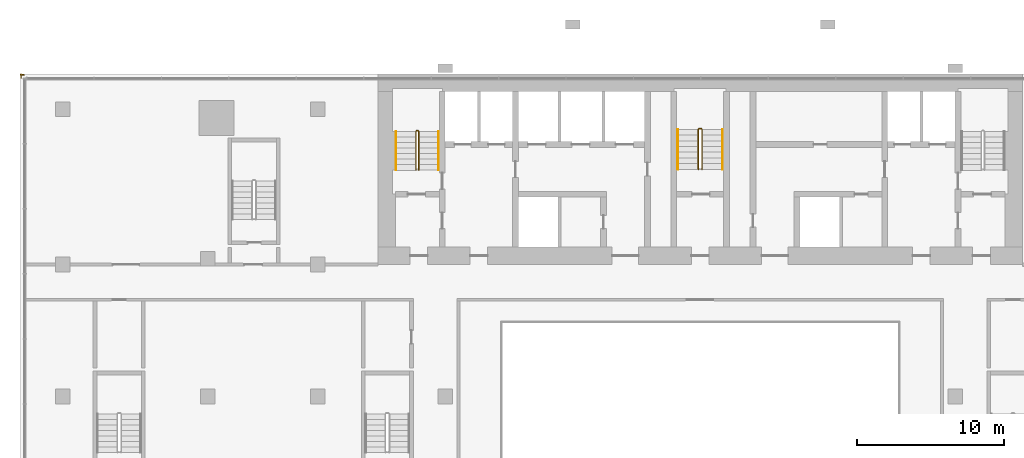
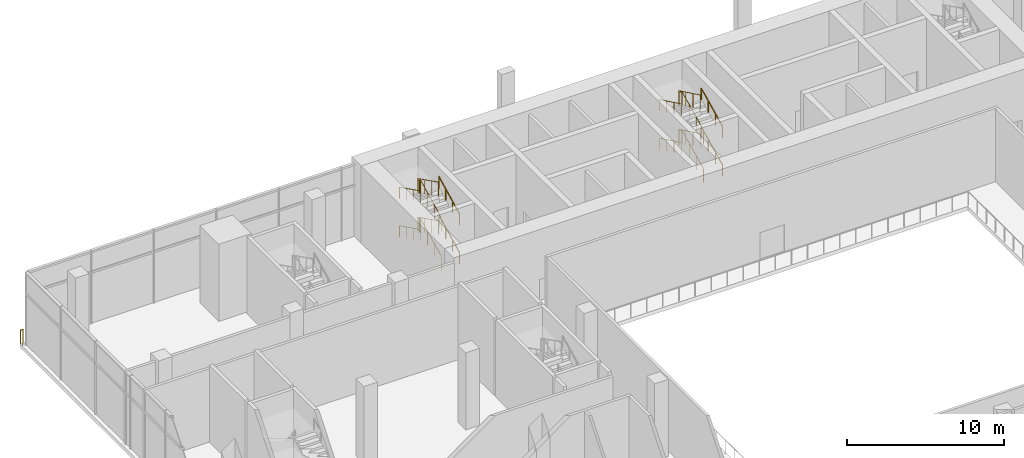
# One storey, part 20 of 22: 13 railings.
"""IFC4 building model written with IfcOpenShell, lengths in metres."""

from ifc_helpers import new_model, si_unit, direction, frame, origin, origin_2d, place, context, subcontext, project, spatial, circle, extrude, material, type_object, element, save


model = new_model("IFC4")

# Units and contexts
model_context = context("Model", 3, precision=1e-05, world=origin(), true_north=direction((0.0, 1.0)))
body_context = subcontext(model_context, "Body", "Model", "MODEL_VIEW")
ifc_project = project(units=[si_unit("LENGTHUNIT", "METRE"), si_unit("AREAUNIT", "SQUARE_METRE"), si_unit("VOLUMEUNIT", "CUBIC_METRE"), si_unit("PLANEANGLEUNIT", "RADIAN"), si_unit("MASSUNIT", "GRAM", prefix="KILO")], contexts=[model_context])

# Site, building, storey
site_placement = place(None, origin())
site = spatial("IfcSite", under=ifc_project, at=site_placement, CompositionType="ELEMENT")
building_placement = place(site_placement, origin())
building = spatial("IfcBuilding", under=site, at=building_placement, Name="Bicima Exchange Tower", CompositionType="ELEMENT")
storey_placement = place(building_placement, frame((0.0, 0.0, 14.0)))
storey = spatial("IfcBuildingStorey", under=building, at=storey_placement, Name="L02", CompositionType="ELEMENT", Elevation=14.0)

# Railings
ifc_material_1 = material(Name="Stainless steel and bonded safety glass", Category="steel")
railing_type_1 = type_object("IfcRailingType", Name="Edge guard 1100", PredefinedType="GUARDRAIL", material=ifc_material_1)
railing_1_placement = place(storey_placement, frame((-46.35009765625, -0.25, 0.0)))
element("IfcRailing", 1, at=railing_1_placement, inside=storey, type_object=railing_type_1, Name="Edge guard L02 5", PredefinedType="GUARDRAIL", context=body_context, shape_type="SweptSolid", body=[
    extrude(circle(Radius=0.02392578125, at=origin_2d()), frame((0.0, 0.0, 1.076171875), z_axis=(0.0, 1.0, 0.0), x_axis=(-1.0, 0.0, 0.0)), (0.0, 0.0, 1.0), 0.25),
    extrude(circle(Radius=0.02392578125, at=origin_2d()), frame((0.0, 0.25, 1.076171875), z_axis=(-0.705375805398, -0.708833529934, 0.0), x_axis=(0.708833529934, -0.705375805398, 0.0)), (0.0, 0.0, 1.0), 0.070556640625),
    extrude(circle(Radius=0.02392578125, at=origin_2d()), frame((-0.0498046875, 0.199951171875, 1.076171875), z_axis=(1.0, 0.0, 0.0), x_axis=(0.0, 1.0, 0.0)), (0.0, 0.0, 1.0), 0.2490234375),
    extrude(circle(Radius=0.02099609375, at=origin_2d()), origin(), (0.0, 0.0, 1.0), 1.052001953125),
    extrude(circle(Radius=0.02099609375, at=origin_2d()), frame((0.0, 0.25, 0.0)), (0.0, 0.0, 1.0), 1.052001953125),
    extrude(circle(Radius=0.02099609375, at=origin_2d()), frame((-0.0498046875, 0.199951171875, 0.0)), (0.0, 0.0, 1.0), 1.052001953125),
    extrude(circle(Radius=0.02099609375, at=origin_2d()), frame((0.19921875, 0.199951171875, 0.0)), (0.0, 0.0, 1.0), 1.052001953125),
])
ifc_material_2 = material(Name="Stainless steel", Category="steel")
railing_type_2 = type_object("IfcRailingType", Name="Stair guard 1100", PredefinedType="GUARDRAIL", material=ifc_material_2)
railing_2_placement = place(storey_placement, frame((-19.199951171875, -6.550048828125, 0.1875)))
element("IfcRailing", 2, at=railing_2_placement, inside=storey, type_object=railing_type_2, Name="L02 ST-W stair guard 1", PredefinedType="GUARDRAIL", context=body_context, shape_type="SweptSolid", body=[
    extrude(circle(Radius=0.02392578125, at=origin_2d()), frame((0.0, 0.0, 1.076171875), z_axis=(0.0, 0.894775759346, 0.446515778543), x_axis=(-1.0, 0.0, 0.0)), (0.0, 0.0, 1.0), 2.939453125),
    extrude(circle(Radius=0.02392578125, at=origin_2d()), frame((0.0, 2.630126953125, 2.388671875), z_axis=(-0.708833529934, 0.705375805398, 0.0), x_axis=(-0.705375805398, -0.708833529934, 0.0)), (0.0, 0.0, 1.0), 0.070556640625),
    extrude(circle(Radius=0.02392578125, at=origin_2d()), frame((-0.050048828125, 2.679931640625, 2.388671875), z_axis=(-1.0, 0.0, 0.0), x_axis=(0.0, -1.0, 0.0)), (0.0, 0.0, 1.0), 0.10009765625),
    extrude(circle(Radius=0.02392578125, at=origin_2d()), frame((-0.150146484375, 2.679931640625, 2.388671875), z_axis=(-0.248659220195, -0.248659220195, 0.936128828968), x_axis=(0.707106781187, -0.707106781187, 0.0)), (0.0, 0.0, 1.0), 0.2001953125),
    extrude(circle(Radius=0.02392578125, at=origin_2d()), frame((-0.199951171875, 2.630126953125, 2.576171875), z_axis=(0.0, -0.894775759346, 0.446515778543), x_axis=(1.0, 0.0, 0.0)), (0.0, 0.0, 1.0), 2.939453125),
    extrude(circle(Radius=0.02099609375, at=origin_2d()), origin(), (0.0, 0.0, 1.0), 1.052001953125),
    extrude(circle(Radius=0.02099609375, at=origin_2d()), frame((0.0, 0.876708984375, 0.4375)), (0.0, 0.0, 1.0), 1.052001953125),
    extrude(circle(Radius=0.02099609375, at=origin_2d()), frame((0.0, 1.75341796875, 0.875)), (0.0, 0.0, 1.0), 1.052001953125),
    extrude(circle(Radius=0.02099609375, at=origin_2d()), frame((0.0, 2.630126953125, 1.3125)), (0.0, 0.0, 1.0), 1.052001953125),
    extrude(circle(Radius=0.02099609375, at=origin_2d()), frame((-0.050048828125, 2.679931640625, 1.3125)), (0.0, 0.0, 1.0), 1.052001953125),
    extrude(circle(Radius=0.02099609375, at=origin_2d()), frame((-0.150146484375, 2.679931640625, 1.3125)), (0.0, 0.0, 1.0), 1.052001953125),
    extrude(circle(Radius=0.02099609375, at=origin_2d()), frame((-0.199951171875, 2.630126953125, 1.5)), (0.0, 0.0, 1.0), 1.052001953125),
    extrude(circle(Radius=0.02099609375, at=origin_2d()), frame((-0.199951171875, 1.75341796875, 1.9375)), (0.0, 0.0, 1.0), 1.052001953125),
    extrude(circle(Radius=0.02099609375, at=origin_2d()), frame((-0.199951171875, 0.876708984375, 2.375)), (0.0, 0.0, 1.0), 1.052001953125),
    extrude(circle(Radius=0.02099609375, at=origin_2d()), frame((-0.199951171875, 0.0, 2.8125)), (0.0, 0.0, 1.0), 1.052001953125),
])
railing_3_placement = place(storey_placement, frame((-19.199951171875, -6.550048828125, 3.1875)))
element("IfcRailing", 3, at=railing_3_placement, inside=storey, type_object=railing_type_2, Name="L02 ST-W stair guard 2", PredefinedType="GUARDRAIL", context=body_context, shape_type="SweptSolid", body=[
    extrude(circle(Radius=0.02392578125, at=origin_2d()), frame((0.0, 0.0, 1.076171875), z_axis=(0.0, 0.894775759346, 0.446515778543), x_axis=(-1.0, 0.0, 0.0)), (0.0, 0.0, 1.0), 2.939453125),
    extrude(circle(Radius=0.02392578125, at=origin_2d()), frame((0.0, 2.630126953125, 2.388671875), z_axis=(-0.708833529934, 0.705375805398, 0.0), x_axis=(-0.705375805398, -0.708833529934, 0.0)), (0.0, 0.0, 1.0), 0.070556640625),
    extrude(circle(Radius=0.02392578125, at=origin_2d()), frame((-0.050048828125, 2.679931640625, 2.388671875), z_axis=(-1.0, 0.0, 0.0), x_axis=(0.0, -1.0, 0.0)), (0.0, 0.0, 1.0), 0.10009765625),
    extrude(circle(Radius=0.02392578125, at=origin_2d()), frame((-0.150146484375, 2.679931640625, 2.388671875), z_axis=(-0.248659220195, -0.248659220195, 0.936128828968), x_axis=(0.707106781187, -0.707106781187, 0.0)), (0.0, 0.0, 1.0), 0.2001953125),
    extrude(circle(Radius=0.02392578125, at=origin_2d()), frame((-0.199951171875, 2.630126953125, 2.576171875), z_axis=(0.0, -0.894775759346, 0.446515778543), x_axis=(1.0, 0.0, 0.0)), (0.0, 0.0, 1.0), 2.939453125),
    extrude(circle(Radius=0.02099609375, at=origin_2d()), origin(), (0.0, 0.0, 1.0), 1.052001953125),
    extrude(circle(Radius=0.02099609375, at=origin_2d()), frame((0.0, 0.876708984375, 0.4375)), (0.0, 0.0, 1.0), 1.052001953125),
    extrude(circle(Radius=0.02099609375, at=origin_2d()), frame((0.0, 1.75341796875, 0.875)), (0.0, 0.0, 1.0), 1.052001953125),
    extrude(circle(Radius=0.02099609375, at=origin_2d()), frame((0.0, 2.630126953125, 1.3125)), (0.0, 0.0, 1.0), 1.052001953125),
    extrude(circle(Radius=0.02099609375, at=origin_2d()), frame((-0.050048828125, 2.679931640625, 1.3125)), (0.0, 0.0, 1.0), 1.052001953125),
    extrude(circle(Radius=0.02099609375, at=origin_2d()), frame((-0.150146484375, 2.679931640625, 1.3125)), (0.0, 0.0, 1.0), 1.052001953125),
    extrude(circle(Radius=0.02099609375, at=origin_2d()), frame((-0.199951171875, 2.630126953125, 1.5)), (0.0, 0.0, 1.0), 1.052001953125),
    extrude(circle(Radius=0.02099609375, at=origin_2d()), frame((-0.199951171875, 1.75341796875, 1.9375)), (0.0, 0.0, 1.0), 1.052001953125),
    extrude(circle(Radius=0.02099609375, at=origin_2d()), frame((-0.199951171875, 0.876708984375, 2.375)), (0.0, 0.0, 1.0), 1.052001953125),
    extrude(circle(Radius=0.02099609375, at=origin_2d()), frame((-0.199951171875, 0.0, 2.8125)), (0.0, 0.0, 1.0), 1.052001953125),
])
railing_4_placement = place(storey_placement, frame((0.125, -6.5, 0.1875)))
element("IfcRailing", 4, at=railing_4_placement, inside=storey, type_object=railing_type_2, Name="L02 ST-C stair guard 1", PredefinedType="GUARDRAIL", context=body_context, shape_type="SweptSolid", body=[
    extrude(circle(Radius=0.02392578125, at=origin_2d()), frame((0.0, 0.0, 1.076171875), z_axis=(0.0, 0.900628018105, 0.434590810998), x_axis=(-1.0, 0.0, 0.0)), (0.0, 0.0, 1.0), 3.02001953125),
    extrude(circle(Radius=0.02392578125, at=origin_2d()), frame((0.0, 2.719970703125, 2.388671875), z_axis=(-0.707106781187, 0.707106781187, 0.0), x_axis=(-0.707106781187, -0.707106781187, 0.0)), (0.0, 0.0, 1.0), 0.07080078125),
    extrude(circle(Radius=0.02392578125, at=origin_2d()), frame((-0.050048828125, 2.77001953125, 2.388671875), z_axis=(-1.0, 0.0, 0.0), x_axis=(0.0, -1.0, 0.0)), (0.0, 0.0, 1.0), 0.14990234375),
    extrude(circle(Radius=0.02392578125, at=origin_2d()), frame((-0.199951171875, 2.77001953125, 2.388671875), z_axis=(-0.249726431254, -0.249726431254, 0.935560483917), x_axis=(0.707106781187, -0.707106781187, 0.0)), (0.0, 0.0, 1.0), 0.200439453125),
    extrude(circle(Radius=0.02392578125, at=origin_2d()), frame((-0.25, 2.719970703125, 2.576171875), z_axis=(0.0, -0.900628018105, 0.434590810998), x_axis=(1.0, 0.0, 0.0)), (0.0, 0.0, 1.0), 3.02001953125),
    extrude(circle(Radius=0.02099609375, at=origin_2d()), origin(), (0.0, 0.0, 1.0), 1.052001953125),
    extrude(circle(Radius=0.02099609375, at=origin_2d()), frame((0.0, 0.90673828125, 0.4375)), (0.0, 0.0, 1.0), 1.052001953125),
    extrude(circle(Radius=0.02099609375, at=origin_2d()), frame((0.0, 1.813232421875, 0.875)), (0.0, 0.0, 1.0), 1.052001953125),
    extrude(circle(Radius=0.02099609375, at=origin_2d()), frame((0.0, 2.719970703125, 1.3125)), (0.0, 0.0, 1.0), 1.052001953125),
    extrude(circle(Radius=0.02099609375, at=origin_2d()), frame((-0.050048828125, 2.77001953125, 1.3125)), (0.0, 0.0, 1.0), 1.052001953125),
    extrude(circle(Radius=0.02099609375, at=origin_2d()), frame((-0.199951171875, 2.77001953125, 1.3125)), (0.0, 0.0, 1.0), 1.052001953125),
    extrude(circle(Radius=0.02099609375, at=origin_2d()), frame((-0.25, 2.719970703125, 1.5)), (0.0, 0.0, 1.0), 1.052001953125),
    extrude(circle(Radius=0.02099609375, at=origin_2d()), frame((-0.25, 1.813232421875, 1.9375)), (0.0, 0.0, 1.0), 1.052001953125),
    extrude(circle(Radius=0.02099609375, at=origin_2d()), frame((-0.25, 0.90673828125, 2.375)), (0.0, 0.0, 1.0), 1.052001953125),
    extrude(circle(Radius=0.02099609375, at=origin_2d()), frame((-0.25, 0.0, 2.8125)), (0.0, 0.0, 1.0), 1.052001953125),
])
railing_5_placement = place(storey_placement, frame((0.125, -6.5, 3.1875)))
element("IfcRailing", 5, at=railing_5_placement, inside=storey, type_object=railing_type_2, Name="L02 ST-C stair guard 2", PredefinedType="GUARDRAIL", context=body_context, shape_type="SweptSolid", body=[
    extrude(circle(Radius=0.02392578125, at=origin_2d()), frame((0.0, 0.0, 1.076171875), z_axis=(0.0, 0.900628018105, 0.434590810998), x_axis=(-1.0, 0.0, 0.0)), (0.0, 0.0, 1.0), 3.02001953125),
    extrude(circle(Radius=0.02392578125, at=origin_2d()), frame((0.0, 2.719970703125, 2.388671875), z_axis=(-0.707106781187, 0.707106781187, 0.0), x_axis=(-0.707106781187, -0.707106781187, 0.0)), (0.0, 0.0, 1.0), 0.07080078125),
    extrude(circle(Radius=0.02392578125, at=origin_2d()), frame((-0.050048828125, 2.77001953125, 2.388671875), z_axis=(-1.0, 0.0, 0.0), x_axis=(0.0, -1.0, 0.0)), (0.0, 0.0, 1.0), 0.14990234375),
    extrude(circle(Radius=0.02392578125, at=origin_2d()), frame((-0.199951171875, 2.77001953125, 2.388671875), z_axis=(-0.249726431254, -0.249726431254, 0.935560483917), x_axis=(0.707106781187, -0.707106781187, 0.0)), (0.0, 0.0, 1.0), 0.200439453125),
    extrude(circle(Radius=0.02392578125, at=origin_2d()), frame((-0.25, 2.719970703125, 2.576171875), z_axis=(0.0, -0.900628018105, 0.434590810998), x_axis=(1.0, 0.0, 0.0)), (0.0, 0.0, 1.0), 3.02001953125),
    extrude(circle(Radius=0.02099609375, at=origin_2d()), origin(), (0.0, 0.0, 1.0), 1.052001953125),
    extrude(circle(Radius=0.02099609375, at=origin_2d()), frame((0.0, 0.90673828125, 0.4375)), (0.0, 0.0, 1.0), 1.052001953125),
    extrude(circle(Radius=0.02099609375, at=origin_2d()), frame((0.0, 1.813232421875, 0.875)), (0.0, 0.0, 1.0), 1.052001953125),
    extrude(circle(Radius=0.02099609375, at=origin_2d()), frame((0.0, 2.719970703125, 1.3125)), (0.0, 0.0, 1.0), 1.052001953125),
    extrude(circle(Radius=0.02099609375, at=origin_2d()), frame((-0.050048828125, 2.77001953125, 1.3125)), (0.0, 0.0, 1.0), 1.052001953125),
    extrude(circle(Radius=0.02099609375, at=origin_2d()), frame((-0.199951171875, 2.77001953125, 1.3125)), (0.0, 0.0, 1.0), 1.052001953125),
    extrude(circle(Radius=0.02099609375, at=origin_2d()), frame((-0.25, 2.719970703125, 1.5)), (0.0, 0.0, 1.0), 1.052001953125),
    extrude(circle(Radius=0.02099609375, at=origin_2d()), frame((-0.25, 1.813232421875, 1.9375)), (0.0, 0.0, 1.0), 1.052001953125),
    extrude(circle(Radius=0.02099609375, at=origin_2d()), frame((-0.25, 0.90673828125, 2.375)), (0.0, 0.0, 1.0), 1.052001953125),
    extrude(circle(Radius=0.02099609375, at=origin_2d()), frame((-0.25, 0.0, 2.8125)), (0.0, 0.0, 1.0), 1.052001953125),
])
railing_type_3 = type_object("IfcRailingType", Name="Stair handrail 900", PredefinedType="HANDRAIL", material=ifc_material_2)
railing_6_placement = place(storey_placement, frame((-17.85009765625, -6.550048828125, 0.1875)))
element("IfcRailing", 6, at=railing_6_placement, inside=storey, type_object=railing_type_3, Name="L02 ST-W stair handrail 1", PredefinedType="HANDRAIL", context=body_context, shape_type="SweptSolid", body=[
    extrude(circle(Radius=0.02392578125, at=origin_2d()), frame((0.0, 0.0, 0.8759765625), z_axis=(0.0, 0.894775759346, 0.446515778543), x_axis=(-1.0, 0.0, 0.0)), (0.0, 0.0, 1.0), 2.939453125),
    extrude(circle(Radius=0.02099609375, at=origin_2d()), origin(), (0.0, 0.0, 1.0), 0.851806640625),
    extrude(circle(Radius=0.02099609375, at=origin_2d()), frame((0.0, 0.876708984375, 0.4375)), (0.0, 0.0, 1.0), 0.851806640625),
    extrude(circle(Radius=0.02099609375, at=origin_2d()), frame((0.0, 1.75341796875, 0.875)), (0.0, 0.0, 1.0), 0.851806640625),
    extrude(circle(Radius=0.02099609375, at=origin_2d()), frame((0.0, 2.630126953125, 1.3125)), (0.0, 0.0, 1.0), 0.851806640625),
])
railing_7_placement = place(storey_placement, frame((-20.75, -3.919921875, 1.6875)))
element("IfcRailing", 7, at=railing_7_placement, inside=storey, type_object=railing_type_3, Name="L02 ST-W stair handrail 2", PredefinedType="HANDRAIL", context=body_context, shape_type="SweptSolid", body=[
    extrude(circle(Radius=0.02392578125, at=origin_2d()), frame((0.0, 0.0, 0.8759765625), z_axis=(0.0, -0.894775759346, 0.446515778543), x_axis=(1.0, 0.0, 0.0)), (0.0, 0.0, 1.0), 2.939453125),
    extrude(circle(Radius=0.02099609375, at=origin_2d()), origin(), (0.0, 0.0, 1.0), 0.851806640625),
    extrude(circle(Radius=0.02099609375, at=origin_2d()), frame((0.0, -0.876708984375, 0.4375)), (0.0, 0.0, 1.0), 0.851806640625),
    extrude(circle(Radius=0.02099609375, at=origin_2d()), frame((0.0, -1.75341796875, 0.875)), (0.0, 0.0, 1.0), 0.851806640625),
    extrude(circle(Radius=0.02099609375, at=origin_2d()), frame((0.0, -2.630126953125, 1.3125)), (0.0, 0.0, 1.0), 0.851806640625),
])
railing_8_placement = place(storey_placement, frame((-17.85009765625, -6.550048828125, 3.1875)))
element("IfcRailing", 8, at=railing_8_placement, inside=storey, type_object=railing_type_3, Name="L02 ST-W stair handrail 3", PredefinedType="HANDRAIL", context=body_context, shape_type="SweptSolid", body=[
    extrude(circle(Radius=0.02392578125, at=origin_2d()), frame((0.0, 0.0, 0.8759765625), z_axis=(0.0, 0.894775759346, 0.446515778543), x_axis=(-1.0, 0.0, 0.0)), (0.0, 0.0, 1.0), 2.939453125),
    extrude(circle(Radius=0.02099609375, at=origin_2d()), origin(), (0.0, 0.0, 1.0), 0.851806640625),
    extrude(circle(Radius=0.02099609375, at=origin_2d()), frame((0.0, 0.876708984375, 0.4375)), (0.0, 0.0, 1.0), 0.851806640625),
    extrude(circle(Radius=0.02099609375, at=origin_2d()), frame((0.0, 1.75341796875, 0.875)), (0.0, 0.0, 1.0), 0.851806640625),
    extrude(circle(Radius=0.02099609375, at=origin_2d()), frame((0.0, 2.630126953125, 1.3125)), (0.0, 0.0, 1.0), 0.851806640625),
])
railing_9_placement = place(storey_placement, frame((-20.75, -3.919921875, 4.6875)))
element("IfcRailing", 9, at=railing_9_placement, inside=storey, type_object=railing_type_3, Name="L02 ST-W stair handrail 4", PredefinedType="HANDRAIL", context=body_context, shape_type="SweptSolid", body=[
    extrude(circle(Radius=0.02392578125, at=origin_2d()), frame((0.0, 0.0, 0.8759765625), z_axis=(0.0, -0.894775759346, 0.446515778543), x_axis=(1.0, 0.0, 0.0)), (0.0, 0.0, 1.0), 2.939453125),
    extrude(circle(Radius=0.02099609375, at=origin_2d()), origin(), (0.0, 0.0, 1.0), 0.851806640625),
    extrude(circle(Radius=0.02099609375, at=origin_2d()), frame((0.0, -0.876708984375, 0.4375)), (0.0, 0.0, 1.0), 0.851806640625),
    extrude(circle(Radius=0.02099609375, at=origin_2d()), frame((0.0, -1.75341796875, 0.875)), (0.0, 0.0, 1.0), 0.851806640625),
    extrude(circle(Radius=0.02099609375, at=origin_2d()), frame((0.0, -2.630126953125, 1.3125)), (0.0, 0.0, 1.0), 0.851806640625),
])
railing_10_placement = place(storey_placement, frame((1.52490234375, -6.5, 0.1875)))
element("IfcRailing", 10, at=railing_10_placement, inside=storey, type_object=railing_type_3, Name="L02 ST-C stair handrail 1", PredefinedType="HANDRAIL", context=body_context, shape_type="SweptSolid", body=[
    extrude(circle(Radius=0.02392578125, at=origin_2d()), frame((0.0, 0.0, 0.8759765625), z_axis=(0.0, 0.900628018105, 0.434590810998), x_axis=(-1.0, 0.0, 0.0)), (0.0, 0.0, 1.0), 3.02001953125),
    extrude(circle(Radius=0.02099609375, at=origin_2d()), origin(), (0.0, 0.0, 1.0), 0.851806640625),
    extrude(circle(Radius=0.02099609375, at=origin_2d()), frame((0.0, 0.90673828125, 0.4375)), (0.0, 0.0, 1.0), 0.851806640625),
    extrude(circle(Radius=0.02099609375, at=origin_2d()), frame((0.0, 1.813232421875, 0.875)), (0.0, 0.0, 1.0), 0.851806640625),
    extrude(circle(Radius=0.02099609375, at=origin_2d()), frame((0.0, 2.719970703125, 1.3125)), (0.0, 0.0, 1.0), 0.851806640625),
])
railing_11_placement = place(storey_placement, frame((-1.52490234375, -3.780029296875, 1.6875)))
element("IfcRailing", 11, at=railing_11_placement, inside=storey, type_object=railing_type_3, Name="L02 ST-C stair handrail 2", PredefinedType="HANDRAIL", context=body_context, shape_type="SweptSolid", body=[
    extrude(circle(Radius=0.02392578125, at=origin_2d()), frame((0.0, 0.0, 0.8759765625), z_axis=(0.0, -0.900628018105, 0.434590810998), x_axis=(1.0, 0.0, 0.0)), (0.0, 0.0, 1.0), 3.02001953125),
    extrude(circle(Radius=0.02099609375, at=origin_2d()), origin(), (0.0, 0.0, 1.0), 0.851806640625),
    extrude(circle(Radius=0.02099609375, at=origin_2d()), frame((0.0, -0.90673828125, 0.4375)), (0.0, 0.0, 1.0), 0.851806640625),
    extrude(circle(Radius=0.02099609375, at=origin_2d()), frame((0.0, -1.813232421875, 0.875)), (0.0, 0.0, 1.0), 0.851806640625),
    extrude(circle(Radius=0.02099609375, at=origin_2d()), frame((0.0, -2.719970703125, 1.3125)), (0.0, 0.0, 1.0), 0.851806640625),
])
railing_12_placement = place(storey_placement, frame((1.52490234375, -6.5, 3.1875)))
element("IfcRailing", 12, at=railing_12_placement, inside=storey, type_object=railing_type_3, Name="L02 ST-C stair handrail 3", PredefinedType="HANDRAIL", context=body_context, shape_type="SweptSolid", body=[
    extrude(circle(Radius=0.02392578125, at=origin_2d()), frame((0.0, 0.0, 0.8759765625), z_axis=(0.0, 0.900628018105, 0.434590810998), x_axis=(-1.0, 0.0, 0.0)), (0.0, 0.0, 1.0), 3.02001953125),
    extrude(circle(Radius=0.02099609375, at=origin_2d()), origin(), (0.0, 0.0, 1.0), 0.851806640625),
    extrude(circle(Radius=0.02099609375, at=origin_2d()), frame((0.0, 0.90673828125, 0.4375)), (0.0, 0.0, 1.0), 0.851806640625),
    extrude(circle(Radius=0.02099609375, at=origin_2d()), frame((0.0, 1.813232421875, 0.875)), (0.0, 0.0, 1.0), 0.851806640625),
    extrude(circle(Radius=0.02099609375, at=origin_2d()), frame((0.0, 2.719970703125, 1.3125)), (0.0, 0.0, 1.0), 0.851806640625),
])
railing_13_placement = place(storey_placement, frame((-1.52490234375, -3.780029296875, 4.6875)))
element("IfcRailing", 13, at=railing_13_placement, inside=storey, type_object=railing_type_3, Name="L02 ST-C stair handrail 4", PredefinedType="HANDRAIL", context=body_context, shape_type="SweptSolid", body=[
    extrude(circle(Radius=0.02392578125, at=origin_2d()), frame((0.0, 0.0, 0.8759765625), z_axis=(0.0, -0.900628018105, 0.434590810998), x_axis=(1.0, 0.0, 0.0)), (0.0, 0.0, 1.0), 3.02001953125),
    extrude(circle(Radius=0.02099609375, at=origin_2d()), origin(), (0.0, 0.0, 1.0), 0.851806640625),
    extrude(circle(Radius=0.02099609375, at=origin_2d()), frame((0.0, -0.90673828125, 0.4375)), (0.0, 0.0, 1.0), 0.851806640625),
    extrude(circle(Radius=0.02099609375, at=origin_2d()), frame((0.0, -1.813232421875, 0.875)), (0.0, 0.0, 1.0), 0.851806640625),
    extrude(circle(Radius=0.02099609375, at=origin_2d()), frame((0.0, -2.719970703125, 1.3125)), (0.0, 0.0, 1.0), 0.851806640625),
])

save(model, "model.ifc")
